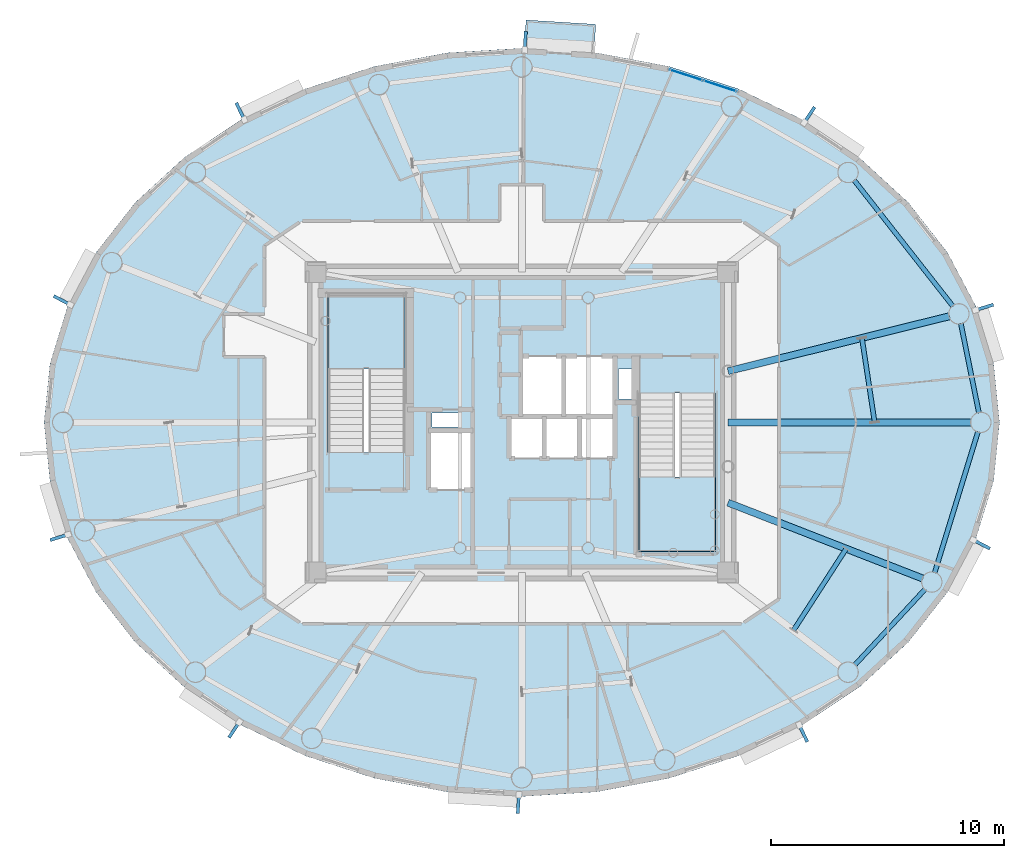
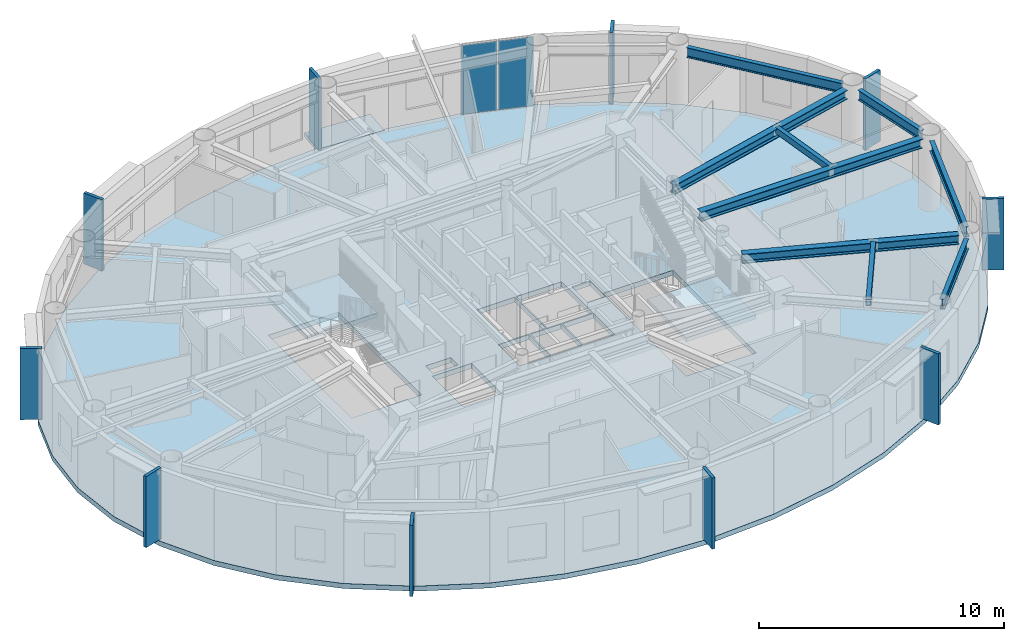
# One storey, part 4 of 17: 12 plates, 9 beams, 4 slabs, 3 elements without a shape of their own.
"""IFC4 building model written with IfcOpenShell, lengths in metres."""

from ifc_helpers import new_model, si_unit, direction, frame, origin, origin_2d, place, context, subcontext, project, spatial, polyline, rectangle, hollow_rectangle, i_section, outline, extrude, source, transform, mapped, material, layer, layer_set, material_profile, profile_set, type_object, element, aggregate, save


model = new_model("IFC4")

# Units and contexts
model_context = context("Model", 3, precision=1e-05, world=origin(), true_north=direction((0.0, 1.0)))
body_context = subcontext(model_context, "Body", "Model", "MODEL_VIEW")
ifc_project = project(units=[si_unit("LENGTHUNIT", "METRE"), si_unit("AREAUNIT", "SQUARE_METRE"), si_unit("VOLUMEUNIT", "CUBIC_METRE"), si_unit("PLANEANGLEUNIT", "RADIAN"), si_unit("MASSUNIT", "GRAM", prefix="KILO")], contexts=[model_context])

# Site, building, storey
site_placement = place(None, origin())
site = spatial("IfcSite", under=ifc_project, at=site_placement, CompositionType="ELEMENT")
building_placement = place(site_placement, origin())
building = spatial("IfcBuilding", under=site, at=building_placement, Name="Linh Dai School and Residence Tower", CompositionType="ELEMENT")
storey_placement = place(building_placement, frame((0.0, 0.0, 331.60009765625)))
storey = spatial("IfcBuildingStorey", under=building, at=storey_placement, Name="L82", CompositionType="ELEMENT", Elevation=331.60009765625)

# Beams
ifc_material_1 = material(Name="Structural Steel S355JR", Category="steel")
ifc_material_profile_1 = material_profile(ifc_material_1, hollow_rectangle(XDim=0.199951171875, YDim=0.300048828125, WallThickness=0.010009765625, at=origin_2d()), Name="RHS 300x200x10")
ifc_profile_set_1 = profile_set([ifc_material_profile_1], Name="Structural Steel S355JR")
beam_type_1 = type_object("IfcBeamType", Name="BM-BX3", PredefinedType="BEAM", material=ifc_profile_set_1)
beam_1_placement = place(storey_placement, frame((51.142333984375, 27.0048828125, 3.39990234375), z_axis=(-0.149229268392, 0.988802622092, 0.0), x_axis=(-0.988802622092, -0.149229268392, 0.0)))
element("IfcBeam", 1, at=beam_1_placement, inside=storey, type_object=beam_type_1, Name="L82 Secondary Circumferential Floor Beam 01", PredefinedType="BEAM", context=body_context, shape_type="SweptSolid", body=[
    extrude(hollow_rectangle(XDim=0.199951171875, YDim=0.300048828125, WallThickness=0.010009765625, at=origin_2d()), origin(), (0.0, 0.0, 1.0), 3.6533203125),
])
beam_2_placement = place(storey_placement, frame((47.66162109375, 18.075927734375, 3.39990234375), z_axis=(0.542324541187, 0.840169085379, 0.0), x_axis=(-0.840169085379, 0.542324541187, 0.0)))
element("IfcBeam", 2, at=beam_2_placement, inside=storey, type_object=beam_type_1, Name="L82 Secondary Circumferential Floor Beam 08", PredefinedType="BEAM", context=body_context, shape_type="SweptSolid", body=[
    extrude(hollow_rectangle(XDim=0.199951171875, YDim=0.300048828125, WallThickness=0.010009765625, at=origin_2d()), origin(), (0.0, 0.0, 1.0), 4.163330078125),
])
ifc_material_profile_2 = material_profile(ifc_material_1, i_section(OverallWidth=0.199951171875, OverallDepth=0.5, WebThickness=0.01025390625, FlangeThickness=0.01611328125, FilletRadius=0.02099609375, at=origin_2d()), Name="IPE 500")
ifc_profile_set_2 = profile_set([ifc_material_profile_2], Name="Structural Steel S355JR")
beam_type_2 = type_object("IfcBeamType", Name="BM-RB50", PredefinedType="BEAM", material=ifc_profile_set_2)
beam_3_placement = place(storey_placement, frame((55.61669921875, 27.41162109375, 3.2998046875), z_axis=(-0.198409502721, 0.980119211744, 0.0), x_axis=(-0.980119211744, -0.198409502721, 0.0)))
element("IfcBeam", 3, at=beam_3_placement, inside=storey, type_object=beam_type_2, Name="L82 Perimeter Elliptical Ring Beam 01", PredefinedType="BEAM", context=body_context, shape_type="SweptSolid", body=[
    extrude(i_section(OverallWidth=0.199951171875, OverallDepth=0.5, WebThickness=0.01025390625, FlangeThickness=0.01611328125, FilletRadius=0.02099609375, at=origin_2d()), origin(), (0.0, 0.0, 1.0), 3.9091796875),
])
beam_4_placement = place(storey_placement, frame((54.498779296875, 31.9853515625, 3.2998046875), z_axis=(-0.616844770958, 0.787084829318, 0.0), x_axis=(-0.787084829318, -0.616844770958, 0.0)))
element("IfcBeam", 4, at=beam_4_placement, inside=storey, type_object=beam_type_2, Name="L82 Perimeter Elliptical Ring Beam 02", PredefinedType="BEAM", context=body_context, shape_type="SweptSolid", body=[
    extrude(i_section(OverallWidth=0.199951171875, OverallDepth=0.5, WebThickness=0.01025390625, FlangeThickness=0.01611328125, FilletRadius=0.02099609375, at=origin_2d()), origin(), (0.0, 0.0, 1.0), 6.869384765625),
])
beam_5_placement = place(storey_placement, frame((50.2880859375, 16.5849609375, 3.2998046875), z_axis=(0.680339330162, 0.732897261446, 0.0), x_axis=(-0.732897261446, 0.680339330162, 0.0)))
element("IfcBeam", 5, at=beam_5_placement, inside=storey, type_object=beam_type_2, Name="L82 Perimeter Elliptical Ring Beam 15", PredefinedType="BEAM", context=body_context, shape_type="SweptSolid", body=[
    extrude(i_section(OverallWidth=0.199951171875, OverallDepth=0.5, WebThickness=0.01025390625, FlangeThickness=0.01611328125, FilletRadius=0.02099609375, at=origin_2d()), origin(), (0.0, 0.0, 1.0), 4.440673828125),
])
beam_6_placement = place(storey_placement, frame((53.718505859375, 20.548828125, 3.2998046875), z_axis=(0.293606003102, 0.955926521728, 0.0), x_axis=(-0.955926521728, 0.293606003102, 0.0)))
element("IfcBeam", 6, at=beam_6_placement, inside=storey, type_object=beam_type_2, Name="L82 Perimeter Elliptical Ring Beam 16", PredefinedType="BEAM", context=body_context, shape_type="SweptSolid", body=[
    extrude(i_section(OverallWidth=0.199951171875, OverallDepth=0.5, WebThickness=0.01025390625, FlangeThickness=0.01611328125, FilletRadius=0.02099609375, at=origin_2d()), origin(), (0.0, 0.0, 1.0), 6.32861328125),
])
ifc_material_profile_3 = material_profile(ifc_material_1, i_section(OverallWidth=0.300048828125, OverallDepth=0.449951171875, WebThickness=0.013916015625, FlangeThickness=0.02587890625, FilletRadius=0.027099609375, at=origin_2d()), Name="HEB 450")
ifc_profile_set_3 = profile_set([ifc_material_profile_3], Name="Structural Steel S355JR")
beam_type_3 = type_object("IfcBeamType", Name="BM-RG45", PredefinedType="BEAM", material=ifc_profile_set_3)
beam_7_placement = place(storey_placement, frame((44.85009765625, 27.0, 3.324951171875), z_axis=(1.0, 0.0, 0.0), x_axis=(0.0, 1.0, 0.0)))
element("IfcBeam", 7, at=beam_7_placement, inside=storey, type_object=beam_type_3, Name="L82 Primary Radial Floor Girder 01", PredefinedType="BEAM", context=body_context, shape_type="SweptSolid", body=[
    extrude(i_section(OverallWidth=0.300048828125, OverallDepth=0.449951171875, WebThickness=0.013916015625, FlangeThickness=0.02587890625, FilletRadius=0.027099609375, at=origin_2d()), origin(), (0.0, 0.0, 1.0), 10.429931640625),
])
beam_8_placement = place(storey_placement, frame((44.85009765625, 29.196044921875, 3.324951171875), z_axis=(0.970563583495, 0.24084503398, 0.0), x_axis=(-0.24084503398, 0.970563583495, 0.0)))
element("IfcBeam", 8, at=beam_8_placement, inside=storey, type_object=beam_type_3, Name="L82 Primary Radial Floor Girder 02", PredefinedType="BEAM", context=body_context, shape_type="SweptSolid", body=[
    extrude(i_section(OverallWidth=0.300048828125, OverallDepth=0.449951171875, WebThickness=0.013916015625, FlangeThickness=0.02587890625, FilletRadius=0.027099609375, at=origin_2d()), origin(), (0.0, 0.0, 1.0), 9.7880859375),
])
beam_9_placement = place(storey_placement, frame((44.85009765625, 23.55322265625, 3.324951171875), z_axis=(0.931822607816, -0.362914077384, 0.0), x_axis=(0.362914077384, 0.931822607816, 0.0)))
element("IfcBeam", 9, at=beam_9_placement, inside=storey, type_object=beam_type_3, Name="L82 Primary Radial Floor Girder 16", PredefinedType="BEAM", context=body_context, shape_type="SweptSolid", body=[
    extrude(i_section(OverallWidth=0.300048828125, OverallDepth=0.449951171875, WebThickness=0.013916015625, FlangeThickness=0.02587890625, FilletRadius=0.027099609375, at=origin_2d()), origin(), (0.0, 0.0, 1.0), 8.964599609375),
])

# Slabs
ifc_material_2 = material(Name="Concrete B45 (C35/45)", Category="concrete")
ifc_layer_1 = layer(ifc_material_2, 0.219970703125)
ifc_layer_set_1 = layer_set([ifc_layer_1], Name="Concrete B45 (C35/45)")
slab_type_1 = type_object("IfcSlabType", Name="SLB-BALC-220", PredefinedType="FLOOR", material=ifc_layer_set_1)
slab_1_placement = place(storey_placement, frame((0.0, 0.0, -0.22021484375)))
element("IfcSlab", 10, at=slab_1_placement, inside=storey, type_object=slab_type_1, Name="L82 Sliding Balcony Slab 10", PredefinedType="FLOOR", context=body_context, shape_type="SweptSolid", body=[
    extrude(outline(polyline([(36.1025390625, 42.96875), (39.094482421875, 42.784423828125), (39.174560546875, 44.081787109375), (36.1826171875, 44.266357421875), (36.1025390625, 42.96875)])), origin(), (0.0, 0.0, 1.0), 0.22021484375),
])
ifc_layer_2 = layer(ifc_material_2, 0.25)
ifc_layer_set_2 = layer_set([ifc_layer_2], Name="Concrete B45 (C35/45)")
slab_type_2 = type_object("IfcSlabType", Name="SLB-FLR250", PredefinedType="FLOOR", material=ifc_layer_set_2)
slab_2_placement = place(storey_placement, frame((0.0, 0.0, -0.25)))
element("IfcSlab", 11, at=slab_2_placement, inside=storey, type_object=slab_type_2, Name="L82 Composite Structural Floor Slab", PredefinedType="FLOOR", context=body_context, shape_type="SweptSolid", body=[
    extrude(outline(polyline([(56.5, 27.0), (56.24755859375, 29.511474609375), (55.49658203125, 31.961181640625), (54.265625, 34.288818359375), (52.5849609375, 36.43701171875), (50.49560546875, 38.3525390625), (48.049560546875, 39.98876953125), (45.306884765625, 41.30517578125), (42.3349609375, 42.269287109375), (39.206787109375, 42.857421875), (36.0, 43.054931640625), (32.793212890625, 42.857421875), (29.6650390625, 42.269287109375), (26.693115234375, 41.30517578125), (23.950439453125, 39.98876953125), (21.50439453125, 38.3525390625), (19.4150390625, 36.43701171875), (17.734375, 34.288818359375), (16.50341796875, 31.961181640625), (15.75244140625, 29.511474609375), (15.5, 27.0), (15.75244140625, 24.488525390625), (16.50341796875, 22.038818359375), (17.734375, 19.711181640625), (19.4150390625, 17.56298828125), (21.50439453125, 15.6474609375), (23.950439453125, 14.01123046875), (26.693115234375, 12.69482421875), (29.6650390625, 11.730712890625), (32.793212890625, 11.142578125), (36.0, 10.945068359375), (39.206787109375, 11.142578125), (42.3349609375, 11.730712890625), (45.306884765625, 12.69482421875), (48.049560546875, 14.01123046875), (50.49560546875, 15.6474609375), (52.5849609375, 17.56298828125), (54.265625, 19.711181640625), (55.49658203125, 22.038818359375), (56.24755859375, 24.488525390625), (56.5, 27.0)]), holes=[polyline([(30.97998046875, 25.699951171875), (30.97998046875, 32.5), (27.679931640625, 32.5), (27.679931640625, 25.699951171875), (30.97998046875, 25.699951171875)]), polyline([(41.02001953125, 28.25), (41.02001953125, 21.449951171875), (44.320068359375, 21.449951171875), (44.320068359375, 28.25), (41.02001953125, 28.25)]), polyline([(35.97998046875, 27.280029296875), (37.77001953125, 27.280029296875), (37.77001953125, 29.820068359375), (35.97998046875, 29.820068359375), (35.97998046875, 27.280029296875)]), polyline([(32.030029296875, 24.1298828125), (33.8701171875, 24.1298828125), (33.8701171875, 26.6201171875), (32.030029296875, 26.6201171875), (32.030029296875, 24.1298828125)]), polyline([(37.830078125, 27.280029296875), (39.969970703125, 27.280029296875), (39.969970703125, 29.820068359375), (37.830078125, 29.820068359375), (37.830078125, 27.280029296875)]), polyline([(35.47998046875, 25.47998046875), (36.929931640625, 25.47998046875), (36.929931640625, 27.219970703125), (35.47998046875, 27.219970703125), (35.47998046875, 25.47998046875)]), polyline([(36.989990234375, 25.47998046875), (38.449951171875, 25.47998046875), (38.449951171875, 27.219970703125), (36.989990234375, 27.219970703125), (36.989990234375, 25.47998046875)]), polyline([(38.510009765625, 25.47998046875), (39.969970703125, 25.47998046875), (39.969970703125, 27.219970703125), (38.510009765625, 27.219970703125), (38.510009765625, 25.47998046875)]), polyline([(40.14990234375, 28.0), (40.14990234375, 29.300048828125), (41.0, 29.300048828125), (41.0, 28.280029296875), (40.989990234375, 28.280029296875), (40.989990234375, 28.0), (40.14990234375, 28.0)]), polyline([(32.14990234375, 26.800048828125), (33.35009765625, 26.800048828125), (33.35009765625, 27.39990234375), (32.14990234375, 27.39990234375), (32.14990234375, 26.800048828125)])]), origin(), (0.0, 0.0, 1.0), 0.25),
])

# Stair, slab
stair_type = type_object("IfcStairType", Name="ST-DOG-1550-R1462", PredefinedType="HALF_TURN_STAIR", material=ifc_material_2)
stair_1_placement = place(storey_placement, origin())
stair_1 = element("IfcStair", 12, at=stair_1_placement, inside=storey, type_object=stair_type, Name="L82 Core Smokeproof Exit Stair ST1", PredefinedType="HALF_TURN_STAIR")
ifc_layer_3 = layer(ifc_material_2, 0.199951171875)
ifc_layer_set_3 = layer_set([ifc_layer_3], Name="Concrete B45 (C35/45)")
slab_type_3 = type_object("IfcSlabType", Name="SLB-ST-LANDING-200", PredefinedType="LANDING", material=ifc_layer_set_3)
slab_3_placement = place(storey_placement, frame((0.0, 0.0, 1.699951171875)))
slab_3 = element("IfcSlab", 13, at=slab_3_placement, type_object=slab_type_3, Name="ST1 landing 1", PredefinedType="LANDING", context=body_context, shape_type="SweptSolid", body=[
    extrude(outline(polyline([(30.97998046875, 29.300048828125), (30.97998046875, 32.5), (27.679931640625, 32.5), (27.679931640625, 29.300048828125), (30.97998046875, 29.300048828125)])), origin(), (0.0, 0.0, 1.0), 0.199951171875),
])
aggregate(stair_1, [slab_3])

stair_2_placement = place(storey_placement, origin())
stair_2 = element("IfcStair", 14, at=stair_2_placement, inside=storey, type_object=stair_type, Name="L82 Core Smokeproof Exit Stair ST2", PredefinedType="HALF_TURN_STAIR")
slab_4_placement = place(storey_placement, frame((0.0, 0.0, 1.699951171875)))
slab_4 = element("IfcSlab", 15, at=slab_4_placement, type_object=slab_type_3, Name="ST2 landing 1", PredefinedType="LANDING", context=body_context, shape_type="SweptSolid", body=[
    extrude(outline(polyline([(41.02001953125, 24.64990234375), (41.02001953125, 21.449951171875), (44.320068359375, 21.449951171875), (44.320068359375, 24.64990234375), (41.02001953125, 24.64990234375)])), origin(), (0.0, 0.0, 1.0), 0.199951171875),
])
aggregate(stair_2, [slab_4])

# Plates
ifc_material_3 = material(Name="Precast Concrete B45 (C35/45)", Category="concrete")
ifc_layer_4 = layer(ifc_material_3, 0.139892578125)
ifc_layer_set_4 = layer_set([ifc_layer_4], Name="Precast Concrete B45 (C35/45)")
plate_type_1 = type_object("IfcPlateType", Name="FIN-TC-900x140", PredefinedType="USERDEFINED", material=ifc_layer_set_4)
shared_shape_1 = source(origin(), body_context, "Body", "SweptSolid", [
    extrude(rectangle(XDim=0.89990234375, YDim=0.139892578125, at=origin_2d()), origin(), (0.0, 0.0, 1.0), 3.550048828125),
])
for number, where, z_axis, x_axis, name in (
    (16, (55.808349609375, 31.918701171875, 0.0), (0.0, 0.0, 1.0), (0.956083389379, 0.293094784248, 0.0), "L82 Precast Terracotta Radial Fin 02"),
    (17, (48.3154296875, 40.154296875, 0.0), (0.0, 0.0, 1.0), (0.555970777144, 0.831201837679, 0.0), "L82 Precast Terracotta Radial Fin 06"),
    (18, (36.14501953125, 43.331787109375, 0.0), (0.0, 0.0, 1.0), (0.061518467854, 0.998105945335, 0.0), "L82 Precast Terracotta Radial Fin 10"),
    (19, (23.943115234375, 40.3017578125, 0.0), (0.0, 0.0, 1.0), (-0.432673572418, 0.901550652892, 0.0), "L82 Precast Terracotta Radial Fin 14"),
    (20, (16.3125, 32.211181640625, 0.0), (0.0, 0.0, 1.0), (-0.883971809156, 0.46754020214, 0.0), "L82 Precast Terracotta Radial Fin 18"),
    (21, (16.191650390625, 22.081298828125, 0.0), (0.0, 0.0, 1.0), (-0.956083389379, -0.293094784248, 0.0), "L82 Precast Terracotta Radial Fin 22"),
    (22, (23.6845703125, 13.845703125, 0.0), (0.0, 0.0, 1.0), (-0.555970777144, -0.831201837679, 0.0), "L82 Precast Terracotta Radial Fin 26"),
    (23, (35.85498046875, 10.668212890625, 0.0), (0.0, 0.0, 1.0), (-0.061518467854, -0.998105945335, 0.0), "L82 Precast Terracotta Radial Fin 30"),
    (24, (48.056884765625, 13.6982421875, 0.0), (0.0, 0.0, 1.0), (0.432673572418, -0.901550652892, 0.0), "L82 Precast Terracotta Radial Fin 34"),
    (25, (55.6875, 21.788818359375, 0.0), (0.0, 0.0, 1.0), (0.883971809156, -0.46754020214, 0.0), "L82 Precast Terracotta Radial Fin 38"),
):
    element("IfcPlate", number, at=place(storey_placement, frame(where, z_axis=z_axis, x_axis=x_axis)), inside=storey, type_object=plate_type_1, Name=name, ObjectType="RADIAL FIN", PredefinedType="USERDEFINED", context=body_context, shape_type="MappedRepresentation", body=[
        mapped(shared_shape_1, transform((0.0, 0.0, 0.0), x_axis=(1.0, 0.0, 0.0), y_axis=(0.0, 1.0, 0.0), z_axis=(0.0, 0.0, 1.0), scale=1.0)),
    ])

# Curtain wall, plates
ifc_material_4 = material(Name="Aluminium Anodised Curtain Wall", Category="aluminium")
ifc_layer_5 = layer(ifc_material_4, 0.14990234375)
ifc_layer_set_5 = layer_set([ifc_layer_5], Name="Aluminium Anodised Curtain Wall")
curtain_wall_type = type_object("IfcCurtainWallType", Name="CW-SYS-4", PredefinedType="USERDEFINED", material=ifc_layer_set_5)
curtain_wall_placement = place(storey_placement, origin())
curtain_wall = element("IfcCurtainWall", 26, at=curtain_wall_placement, inside=storey, type_object=curtain_wall_type, Name="L82 CW4 Curtain Wall 08", ObjectType="RIBBON CURTAIN WALL", PredefinedType="USERDEFINED")
ifc_material_5 = material(Name="Double Low-E Insulated Glazing", Category="glass")
ifc_layer_6 = layer(ifc_material_5, 0.02587890625)
ifc_layer_set_6 = layer_set([ifc_layer_6], Name="Double Low-E Insulated Glazing")
plate_type_2 = type_object("IfcPlateType", Name="CW-SYS-4-PAN", PredefinedType="CURTAIN_PANEL", material=ifc_layer_set_6)
shared_shape_2 = source(origin(), body_context, "Body", "SweptSolid", [
    extrude(rectangle(XDim=1.47607421875, YDim=0.02587890625, at=origin_2d()), origin(), (0.0, 0.0, 1.0), 3.446044921875),
])
plate_1_placement = place(storey_placement, frame((43.055419921875, 41.904296875, 0.0517578125), z_axis=(0.0, 0.0, 1.0), x_axis=(0.951203168298, -0.30856528097, 0.0)))
plate_1 = element("IfcPlate", 27, at=plate_1_placement, type_object=plate_type_2, Name="CW4 panel 1.1", PredefinedType="CURTAIN_PANEL", context=body_context, shape_type="MappedRepresentation", body=[
    mapped(shared_shape_2, transform((0.0, 0.0, 0.0), x_axis=(1.0, 0.0, 0.0), y_axis=(0.0, 1.0, 0.0), z_axis=(0.0, 0.0, 1.0), scale=1.0)),
])
plate_2_placement = place(storey_placement, frame((44.509033203125, 41.432861328125, 0.0517578125), z_axis=(0.0, 0.0, 1.0), x_axis=(0.951203168298, -0.30856528097, 0.0)))
plate_2 = element("IfcPlate", 28, at=plate_2_placement, type_object=plate_type_2, Name="CW4 panel 2.1", PredefinedType="CURTAIN_PANEL", context=body_context, shape_type="MappedRepresentation", body=[
    mapped(shared_shape_2, transform((0.0, 0.0, 0.0), x_axis=(1.0, 0.0, 0.0), y_axis=(0.0, 1.0, 0.0), z_axis=(0.0, 0.0, 1.0), scale=1.0)),
])
aggregate(curtain_wall, [plate_1, plate_2])

save(model, "model.ifc")
